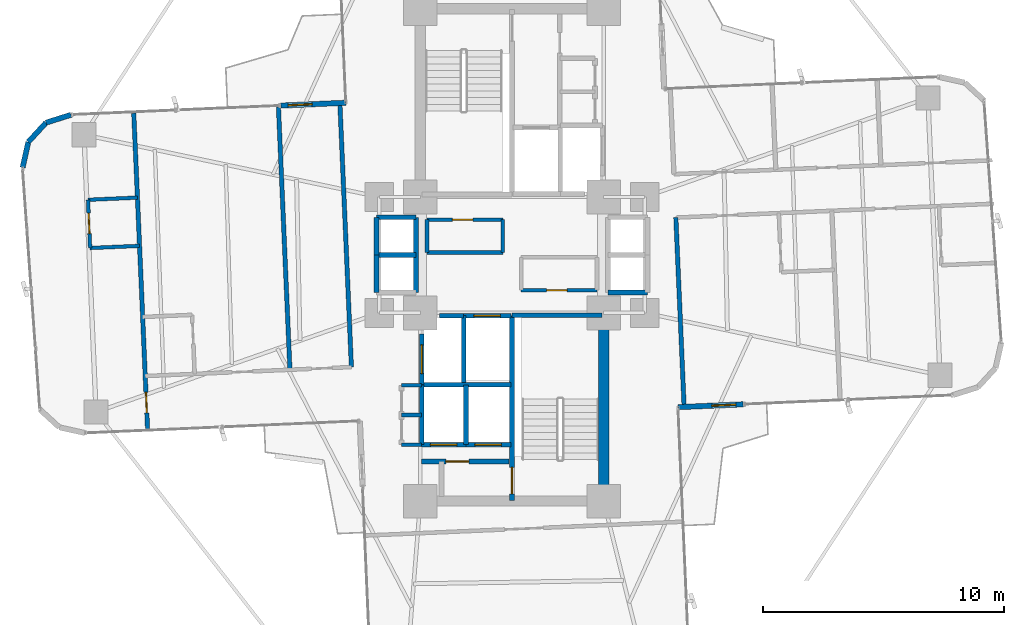
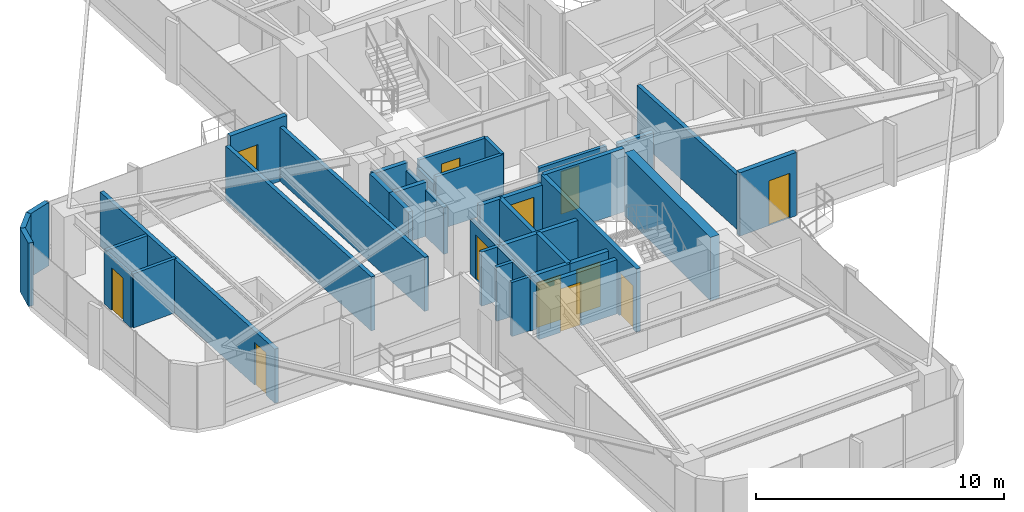
# One storey, part 23 of 26: 39 walls, 12 doors, 12 openings.
"""IFC4 building model written with IfcOpenShell, lengths in metres."""

from ifc_helpers import new_model, si_unit, direction, frame, frame_2d, origin, origin_2d, place, context, subcontext, project, spatial, rectangle, extrude, source, transform, mapped, material, layer, layer_set, type_object, element, fill, save


model = new_model("IFC4")

# Units and contexts
model_context = context("Model", 3, precision=1e-05, world=origin(), true_north=direction((0.0, 1.0)))
body_context = subcontext(model_context, "Body", "Model", "MODEL_VIEW")
ifc_project = project(units=[si_unit("LENGTHUNIT", "METRE"), si_unit("AREAUNIT", "SQUARE_METRE"), si_unit("VOLUMEUNIT", "CUBIC_METRE"), si_unit("PLANEANGLEUNIT", "RADIAN"), si_unit("MASSUNIT", "GRAM", prefix="KILO")], contexts=[model_context])

# Site, building, storey
site_placement = place(None, origin())
site = spatial("IfcSite", under=ifc_project, at=site_placement, CompositionType="ELEMENT")
building_placement = place(site_placement, origin())
building = spatial("IfcBuilding", under=site, at=building_placement, Name="Sahyath Konkavel Grand Hotel", CompositionType="ELEMENT")
storey_placement = place(building_placement, frame((0.0, 0.0, 131.550048828125)))
storey = spatial("IfcBuildingStorey", under=building, at=storey_placement, Name="L36", CompositionType="ELEMENT", Elevation=131.550048828125)

# Wall
ifc_material_1 = material(Name="Concrete C50/60", Category="concrete")
ifc_layer_1 = layer(ifc_material_1, 0.419921875)
ifc_layer_set_1 = layer_set([ifc_layer_1], Name="Concrete C50/60")
wall_type_1 = type_object("IfcWallType", Name="CWALL-420", PredefinedType="SHEAR", material=ifc_layer_set_1)
wall_1_placement = place(storey_placement, frame((3.800048828125, -9.75, 0.0), z_axis=(0.0, 0.0, 1.0), x_axis=(0.0, 1.0, 0.0)))
element("IfcWall", 1, at=wall_1_placement, inside=storey, type_object=wall_type_1, Name="L36 South Core Shear Wall E", PredefinedType="SHEAR", context=body_context, shape_type="SweptSolid", body=[
    extrude(rectangle(XDim=6.89990234375, YDim=0.419921875, at=frame_2d((3.449951171875, 0.0))), origin(), (0.0, 0.0, 1.0), 3.10986328125),
])

# Wall, opening, door
ifc_material_2 = material(Name="Warm Buff Sandstone Insulated Concrete C40/50", Category="masonry")
ifc_layer_2 = layer(ifc_material_2, 0.219970703125)
ifc_layer_set_2 = layer_set([ifc_layer_2], Name="Warm Buff Sandstone Insulated Concrete C40/50")
wall_type_2 = type_object("IfcWallType", Name="WLL-BALC-THRESH", PredefinedType="STANDARD", material=ifc_layer_set_2)
wall_2_placement = place(storey_placement, frame((6.881591796875, -6.305908203125, 0.0), z_axis=(0.0, 0.0, 1.0), x_axis=(0.999045894436, 0.043672655174, 0.0)))
wall_2 = element("IfcWall", 2, at=wall_2_placement, inside=storey, type_object=wall_type_2, Name="L36 Winter-Garden Threshold Wall 0", PredefinedType="STANDARD", context=body_context, shape_type="SweptSolid", body=[
    extrude(rectangle(XDim=2.7001953125, YDim=0.219970703125, at=frame_2d((1.35009765625, 0.0))), origin(), (0.0, 0.0, 1.0), 3.10986328125),
])
opening_1_placement = place(wall_2_placement, frame((1.39990234375, 0.0, 0.0)))
opening_1 = element("IfcOpeningElement", 3, at=opening_1_placement, cuts=wall_2, Name="Opening D-TR1", PredefinedType="OPENING", context=body_context, shape_type="SweptSolid", body=[
    extrude(rectangle(XDim=1.0, YDim=2.199951171875, at=frame_2d((0.5, 1.10009765625))), frame((0.0, 0.1201171875, 0.0), z_axis=(0.0, -1.0, 0.0), x_axis=(1.0, 0.0, 0.0)), (0.0, 0.0, 1.0), 0.239990234375),
])
ifc_material_3 = material(Name="Anodised Bronze Aluminium & Low-E Glazing", Category="aluminium")
door_type_1 = type_object("IfcDoorType", Name="DR-TERRACE-1000", OperationType="NOTDEFINED", PredefinedType="DOOR", material=ifc_material_3)
shared_shape_1 = source(origin(), body_context, "Body", "SweptSolid", [
    extrude(rectangle(XDim=1.0, YDim=0.050048828125, at=origin_2d()), origin(), (0.0, 0.0, 1.0), 2.199951171875),
])
door_1_placement = place(opening_1_placement, frame((0.5, 0.0, 0.0)))
door_1 = element("IfcDoor", 4, at=door_1_placement, inside=storey, type_object=door_type_1, Name="L36 Winter-Garden Terrace Door 0", OperationType="SINGLE_SWING_LEFT", OverallHeight=2.199951171875, OverallWidth=1.0, PredefinedType="DOOR", context=body_context, shape_type="MappedRepresentation", body=[
    mapped(shared_shape_1, transform((0.0, 0.0, 0.0), scale=1.0)),
])
fill(opening_1, door_1)

wall_3_placement = place(storey_placement, frame((-6.881591796875, 6.305908203125, 0.0), z_axis=(0.0, 0.0, 1.0), x_axis=(-0.999045894436, -0.043672655174, 0.0)))
wall_3 = element("IfcWall", 5, at=wall_3_placement, inside=storey, type_object=wall_type_2, Name="L36 Winter-Garden Threshold Wall 16", PredefinedType="STANDARD", context=body_context, shape_type="SweptSolid", body=[
    extrude(rectangle(XDim=2.7001953125, YDim=0.219970703125, at=frame_2d((1.35009765625, 0.0))), origin(), (0.0, 0.0, 1.0), 3.10986328125),
])
opening_2_placement = place(wall_3_placement, frame((1.39990234375, 0.0, 0.0)))
opening_2 = element("IfcOpeningElement", 6, at=opening_2_placement, cuts=wall_3, Name="Opening D-TR1", PredefinedType="OPENING", context=body_context, shape_type="SweptSolid", body=[
    extrude(rectangle(XDim=1.0, YDim=2.199951171875, at=frame_2d((0.5, 1.10009765625))), frame((0.0, 0.1201171875, 0.0), z_axis=(0.0, -1.0, 0.0), x_axis=(1.0, 0.0, 0.0)), (0.0, 0.0, 1.0), 0.239990234375),
])
door_2_placement = place(opening_2_placement, frame((0.5, 0.0, 0.0)))
door_2 = element("IfcDoor", 7, at=door_2_placement, inside=storey, type_object=door_type_1, Name="L36 Winter-Garden Terrace Door 16", OperationType="SINGLE_SWING_LEFT", OverallHeight=2.199951171875, OverallWidth=1.0, PredefinedType="DOOR", context=body_context, shape_type="MappedRepresentation", body=[
    mapped(shared_shape_1, transform((0.0, 0.0, 0.0), scale=1.0)),
])
fill(opening_2, door_2)

# Walls
for number, where, z_axis, x_axis, name in (
    (8, (-18.270751953125, 5.80859375, 0.0), (0.0, 0.0, 1.0), (-0.953721713582, -0.30069069331, 0.0), "L36 Rounded Corner Sandstone Pier 17"),
    (9, (-19.3076171875, 5.481689453125, 0.0), (0.0, 0.0, 1.0), (-0.675551721847, -0.737312600672, 0.0), "L36 Rounded Corner Sandstone Pier 18"),
):
    element("IfcWall", number, at=place(storey_placement, frame(where, z_axis=z_axis, x_axis=x_axis)), inside=storey, type_object=wall_type_2, Name=name, PredefinedType="STANDARD", context=body_context, shape_type="SweptSolid", body=[
        extrude(rectangle(XDim=1.087158203125, YDim=0.219970703125, at=frame_2d((0.54345703125, 0.0))), origin(), (0.0, 0.0, 1.0), 3.10986328125),
    ])
wall_4_placement = place(storey_placement, frame((-20.0419921875, 4.68017578125, 0.0), z_axis=(0.0, 0.0, 1.0), x_axis=(-0.216288323511, -0.976329535102, 0.0)))
element("IfcWall", 10, at=wall_4_placement, inside=storey, type_object=wall_type_2, Name="L36 Rounded Corner Sandstone Pier 19", PredefinedType="STANDARD", context=body_context, shape_type="SweptSolid", body=[
    extrude(rectangle(XDim=1.0869140625, YDim=0.219970703125, at=frame_2d((0.54345703125, 0.0))), origin(), (0.0, 0.0, 1.0), 3.10986328125),
])

# Wall, opening, door
ifc_material_4 = material(Name="Concrete C40/50", Category="concrete")
ifc_layer_3 = layer(ifc_material_4, 0.199951171875)
ifc_layer_set_3 = layer_set([ifc_layer_3], Name="Concrete C40/50")
wall_type_3 = type_object("IfcWallType", Name="WLL-CORE-200", PredefinedType="SOLIDWALL", material=ifc_layer_set_3)
wall_5_placement = place(storey_placement, frame((0.0, -10.179931640625, 0.0), z_axis=(0.0, 0.0, 1.0), x_axis=(0.0, 1.0, 0.0)))
wall_5 = element("IfcWall", 11, at=wall_5_placement, inside=storey, type_object=wall_type_3, Name="L36 Stair ST-2 Shaft Wall W", PredefinedType="SOLIDWALL", context=body_context, shape_type="SweptSolid", body=[
    extrude(rectangle(XDim=7.679931640625, YDim=0.199951171875, at=frame_2d((3.83984375, 0.0))), origin(), (0.0, 0.0, 1.0), 3.10986328125),
])
opening_3_placement = place(wall_5_placement, frame((0.280029296875, 0.0, 0.0)))
opening_3 = element("IfcOpeningElement", 12, at=opening_3_placement, cuts=wall_5, Name="Opening D-F12B", PredefinedType="OPENING", context=body_context, shape_type="SweptSolid", body=[
    extrude(rectangle(XDim=1.10009765625, YDim=2.14990234375, at=frame_2d((0.550048828125, 1.074951171875))), frame((0.0, 0.10986328125, 0.0), z_axis=(0.0, -1.0, 0.0), x_axis=(1.0, 0.0, 0.0)), (0.0, 0.0, 1.0), 0.219970703125),
])
ifc_material_5 = material(Name="Steel E350 Smokeproof Fire Door", Category="steel")
door_type_2 = type_object("IfcDoorType", Name="DR-FD120-1100", OperationType="NOTDEFINED", PredefinedType="DOOR", material=ifc_material_5)
shared_shape_2 = source(origin(), body_context, "Body", "SweptSolid", [
    extrude(rectangle(XDim=1.10009765625, YDim=0.050048828125, at=origin_2d()), origin(), (0.0, 0.0, 1.0), 2.14990234375),
])
door_3_placement = place(opening_3_placement, frame((0.550048828125, 0.0, 0.0)))
door_3 = element("IfcDoor", 13, at=door_3_placement, inside=storey, type_object=door_type_2, Name="L36 Stair ST-2 Fire Door", OperationType="SINGLE_SWING_LEFT", OverallHeight=2.14990234375, OverallWidth=1.10009765625, PredefinedType="DOOR", context=body_context, shape_type="MappedRepresentation", body=[
    mapped(shared_shape_2, transform((0.0, 0.0, 0.0), scale=1.0)),
])
fill(opening_3, door_3)

# Walls
wall_6_placement = place(storey_placement, frame((0.0, -2.5, 0.0), z_axis=(0.0, 0.0, 1.0), x_axis=(1.0, 0.0, 0.0)))
element("IfcWall", 14, at=wall_6_placement, inside=storey, type_object=wall_type_3, Name="L36 Stair ST-2 Shaft Wall N", PredefinedType="SOLIDWALL", context=body_context, shape_type="SweptSolid", body=[
    extrude(rectangle(XDim=3.719970703125, YDim=0.199951171875, at=frame_2d((1.85986328125, 0.0))), origin(), (0.0, 0.0, 1.0), 3.10986328125),
])
wall_7_placement = place(storey_placement, frame((-2.0, -5.280029296875, 0.0), z_axis=(0.0, 0.0, 1.0), x_axis=(0.0, 1.0, 0.0)))
element("IfcWall", 15, at=wall_7_placement, inside=storey, type_object=wall_type_3, Name="L36 Partition SH-FFL2-W", PredefinedType="SOLIDWALL", context=body_context, shape_type="SweptSolid", body=[
    extrude(rectangle(XDim=2.780029296875, YDim=0.199951171875, at=frame_2d((1.39013671875, 0.0))), origin(), (0.0, 0.0, 1.0), 2.659912109375),
])

# Wall, opening, door
wall_8_placement = place(storey_placement, frame((-2.0, -2.52001953125, 0.0), z_axis=(0.0, 0.0, 1.0), x_axis=(1.0, 0.0, 0.0)))
wall_8 = element("IfcWall", 16, at=wall_8_placement, inside=storey, type_object=wall_type_3, Name="L36 Partition SH-FFL2-N", PredefinedType="SOLIDWALL", context=body_context, shape_type="SweptSolid", body=[
    extrude(rectangle(XDim=1.949951171875, YDim=0.199951171875, at=frame_2d((0.97509765625, 0.0))), origin(), (0.0, 0.0, 1.0), 2.659912109375),
])
opening_4_placement = place(wall_8_placement, frame((0.419921875, 0.0, 0.0)))
opening_4 = element("IfcOpeningElement", 17, at=opening_4_placement, cuts=wall_8, Name="Opening LD-11", PredefinedType="OPENING", context=body_context, shape_type="SweptSolid", body=[
    extrude(rectangle(XDim=1.10009765625, YDim=2.199951171875, at=frame_2d((0.550048828125, 1.10009765625))), frame((0.0, 0.10986328125, 0.0), z_axis=(0.0, -1.0, 0.0), x_axis=(1.0, 0.0, 0.0)), (0.0, 0.0, 1.0), 0.219970703125),
])
ifc_material_6 = material(Name="Bronze Lift Landing Door 1100")
door_type_3 = type_object("IfcDoorType", Name="DR-LIFT-1100", OperationType="DOUBLE_DOOR_SLIDING", PredefinedType="DOOR", material=ifc_material_6)
shared_shape_3 = source(origin(), body_context, "Body", "SweptSolid", [
    extrude(rectangle(XDim=1.10009765625, YDim=0.050048828125, at=origin_2d()), origin(), (0.0, 0.0, 1.0), 2.199951171875),
])
door_4_placement = place(opening_4_placement, frame((0.550048828125, 0.0, 0.0)))
door_4 = element("IfcDoor", 18, at=door_4_placement, inside=storey, type_object=door_type_3, Name="L36 Lift FFL-2 Landing Door", OperationType="DOUBLE_DOOR_SLIDING", OverallHeight=2.199951171875, OverallWidth=1.10009765625, PredefinedType="DOOR", context=body_context, shape_type="MappedRepresentation", body=[
    mapped(shared_shape_3, transform((0.0, 0.0, 0.0), scale=1.0)),
])
fill(opening_4, door_4)

# Wall
wall_9_placement = place(storey_placement, frame((-3.0, -2.52001953125, 0.0), z_axis=(0.0, 0.0, 1.0), x_axis=(1.0, 0.0, 0.0)))
element("IfcWall", 19, at=wall_9_placement, inside=storey, type_object=wall_type_3, Name="L36 Partition SH-SVL2-N", PredefinedType="SOLIDWALL", context=body_context, shape_type="SweptSolid", body=[
    extrude(rectangle(XDim=1.0, YDim=0.199951171875, at=frame_2d((0.5, 0.0))), origin(), (0.0, 0.0, 1.0), 2.659912109375),
])

# Wall, opening, door
wall_10_placement = place(storey_placement, frame((-3.739990234375, -5.360107421875, 0.0), z_axis=(0.0, 0.0, 1.0), x_axis=(0.0, 1.0, 0.0)))
wall_10 = element("IfcWall", 20, at=wall_10_placement, inside=storey, type_object=wall_type_3, Name="L36 Partition SH-SVL2-W", PredefinedType="SOLIDWALL", context=body_context, shape_type="SweptSolid", body=[
    extrude(rectangle(XDim=2.080078125, YDim=0.199951171875, at=frame_2d((1.0400390625, 0.0))), origin(), (0.0, 0.0, 1.0), 2.659912109375),
])
opening_5_placement = place(wall_10_placement, frame((0.43994140625, 0.0, 0.0)))
opening_5 = element("IfcOpeningElement", 21, at=opening_5_placement, cuts=wall_10, Name="Opening LD-12", PredefinedType="OPENING", context=body_context, shape_type="SweptSolid", body=[
    extrude(rectangle(XDim=1.199951171875, YDim=2.199951171875, at=frame_2d((0.60009765625, 1.10009765625))), frame((0.0, 0.10986328125, 0.0), z_axis=(0.0, -1.0, 0.0), x_axis=(1.0, 0.0, 0.0)), (0.0, 0.0, 1.0), 0.219970703125),
])
ifc_material_7 = material(Name="Stainless Steel Lift Landing Door 1200", Category="steel")
door_type_4 = type_object("IfcDoorType", Name="DR-LIFT-1200", OperationType="DOUBLE_DOOR_SLIDING", PredefinedType="DOOR", material=ifc_material_7)
shared_shape_4 = source(origin(), body_context, "Body", "SweptSolid", [
    extrude(rectangle(XDim=1.199951171875, YDim=0.050048828125, at=origin_2d()), origin(), (0.0, 0.0, 1.0), 2.199951171875),
])
door_5_placement = place(opening_5_placement, frame((0.60009765625, 0.0, 0.0)))
door_5 = element("IfcDoor", 22, at=door_5_placement, inside=storey, type_object=door_type_4, Name="L36 Service Lift SVL-2 Landing Door", OperationType="DOUBLE_DOOR_SLIDING", OverallHeight=2.199951171875, OverallWidth=1.199951171875, PredefinedType="DOOR", context=body_context, shape_type="MappedRepresentation", body=[
    mapped(shared_shape_4, transform((0.0, 0.0, 0.0), scale=1.0)),
])
fill(opening_5, door_5)

# Wall
wall_11_placement = place(storey_placement, frame((-3.739990234375, -7.860107421875, 0.0), z_axis=(0.0, 0.0, 1.0), x_axis=(0.0, 1.0, 0.0)))
element("IfcWall", 23, at=wall_11_placement, inside=storey, type_object=wall_type_3, Name="L36 Partition SH-PL3-W", PredefinedType="SOLIDWALL", context=body_context, shape_type="SweptSolid", body=[
    extrude(rectangle(XDim=2.480224609375, YDim=0.199951171875, at=frame_2d((1.240234375, 0.0))), origin(), (0.0, 0.0, 1.0), 2.659912109375),
])

# Wall, opening, door
wall_12_placement = place(storey_placement, frame((-3.739990234375, -7.860107421875, 0.0), z_axis=(0.0, 0.0, 1.0), x_axis=(1.0, 0.0, 0.0)))
wall_12 = element("IfcWall", 24, at=wall_12_placement, inside=storey, type_object=wall_type_3, Name="L36 Partition SH-PL3-S", PredefinedType="SOLIDWALL", context=body_context, shape_type="SweptSolid", body=[
    extrude(rectangle(XDim=1.840087890625, YDim=0.199951171875, at=frame_2d((0.919921875, 0.0))), origin(), (0.0, 0.0, 1.0), 2.659912109375),
])
opening_6_placement = place(wall_12_placement, frame((0.360107421875, 0.0, 0.0)))
opening_6 = element("IfcOpeningElement", 25, at=opening_6_placement, cuts=wall_12, Name="Opening LD-11", PredefinedType="OPENING", context=body_context, shape_type="SweptSolid", body=[
    extrude(rectangle(XDim=1.10009765625, YDim=2.199951171875, at=frame_2d((0.550048828125, 1.10009765625))), frame((0.0, 0.10986328125, 0.0), z_axis=(0.0, -1.0, 0.0), x_axis=(1.0, 0.0, 0.0)), (0.0, 0.0, 1.0), 0.219970703125),
])
door_6_placement = place(opening_6_placement, frame((0.550048828125, 0.0, 0.0)))
door_6 = element("IfcDoor", 26, at=door_6_placement, inside=storey, type_object=door_type_3, Name="L36 Passenger Lift PL-3 Landing Door", OperationType="DOUBLE_DOOR_SLIDING", OverallHeight=2.199951171875, OverallWidth=1.10009765625, PredefinedType="DOOR", context=body_context, shape_type="MappedRepresentation", body=[
    mapped(shared_shape_3, transform((0.0, 0.0, 0.0), scale=1.0)),
])
fill(opening_6, door_6)

# Walls
wall_13_placement = place(storey_placement, frame((-3.739990234375, -5.3798828125, 0.0), z_axis=(0.0, 0.0, 1.0), x_axis=(1.0, 0.0, 0.0)))
element("IfcWall", 27, at=wall_13_placement, inside=storey, type_object=wall_type_3, Name="L36 Partition SH-PL34-N", PredefinedType="SOLIDWALL", context=body_context, shape_type="SweptSolid", body=[
    extrude(rectangle(XDim=3.68994140625, YDim=0.199951171875, at=frame_2d((1.844970703125, 0.0))), origin(), (0.0, 0.0, 1.0), 2.659912109375),
])
wall_14_placement = place(storey_placement, frame((-1.89990234375, -7.860107421875, 0.0), z_axis=(0.0, 0.0, 1.0), x_axis=(0.0, 1.0, 0.0)))
element("IfcWall", 28, at=wall_14_placement, inside=storey, type_object=wall_type_3, Name="L36 Partition SH-PL34-M", PredefinedType="SOLIDWALL", context=body_context, shape_type="SweptSolid", body=[
    extrude(rectangle(XDim=2.480224609375, YDim=0.199951171875, at=frame_2d((1.240234375, 0.0))), origin(), (0.0, 0.0, 1.0), 2.659912109375),
])

# Wall, opening, door
wall_15_placement = place(storey_placement, frame((-1.89990234375, -7.860107421875, 0.0), z_axis=(0.0, 0.0, 1.0), x_axis=(1.0, 0.0, 0.0)))
wall_15 = element("IfcWall", 29, at=wall_15_placement, inside=storey, type_object=wall_type_3, Name="L36 Partition SH-PL4-S", PredefinedType="SOLIDWALL", context=body_context, shape_type="SweptSolid", body=[
    extrude(rectangle(XDim=1.849853515625, YDim=0.199951171875, at=frame_2d((0.9248046875, 0.0))), origin(), (0.0, 0.0, 1.0), 2.659912109375),
])
opening_7_placement = place(wall_15_placement, frame((0.360107421875, 0.0, 0.0)))
opening_7 = element("IfcOpeningElement", 30, at=opening_7_placement, cuts=wall_15, Name="Opening LD-11", PredefinedType="OPENING", context=body_context, shape_type="SweptSolid", body=[
    extrude(rectangle(XDim=1.10009765625, YDim=2.199951171875, at=frame_2d((0.550048828125, 1.10009765625))), frame((0.0, 0.10986328125, 0.0), z_axis=(0.0, -1.0, 0.0), x_axis=(1.0, 0.0, 0.0)), (0.0, 0.0, 1.0), 0.219970703125),
])
door_7_placement = place(opening_7_placement, frame((0.550048828125, 0.0, 0.0)))
door_7 = element("IfcDoor", 31, at=door_7_placement, inside=storey, type_object=door_type_3, Name="L36 Passenger Lift PL-4 Landing Door", OperationType="DOUBLE_DOOR_SLIDING", OverallHeight=2.199951171875, OverallWidth=1.10009765625, PredefinedType="DOOR", context=body_context, shape_type="MappedRepresentation", body=[
    mapped(shared_shape_3, transform((0.0, 0.0, 0.0), scale=1.0)),
])
fill(opening_7, door_7)

# Walls
wall_16_placement = place(storey_placement, frame((3.97998046875, -1.56005859375, 0.0), z_axis=(0.0, 0.0, 1.0), x_axis=(1.0, 0.0, 0.0)))
element("IfcWall", 32, at=wall_16_placement, inside=storey, type_object=wall_type_3, Name="L36 Partition SH-PL56-S", PredefinedType="SOLIDWALL", context=body_context, shape_type="SweptSolid", body=[
    extrude(rectangle(XDim=1.64013671875, YDim=0.199951171875, at=frame_2d((0.820068359375, 0.0))), origin(), (0.0, 0.0, 1.0), 2.659912109375),
])
wall_17_placement = place(storey_placement, frame((-3.97998046875, -1.56005859375, 0.0), z_axis=(0.0, 0.0, 1.0), x_axis=(0.0, 1.0, 0.0)))
element("IfcWall", 33, at=wall_17_placement, inside=storey, type_object=wall_type_3, Name="L36 Partition SH-SL12-E", PredefinedType="SOLIDWALL", context=body_context, shape_type="SweptSolid", body=[
    extrude(rectangle(XDim=3.1201171875, YDim=0.199951171875, at=frame_2d((1.56005859375, 0.0))), origin(), (0.0, 0.0, 1.0), 2.280029296875),
])
for number, where, z_axis, x_axis, name in (
    (34, (-5.6201171875, 1.56005859375, 0.0), (0.0, 0.0, 1.0), (1.0, 0.0, 0.0), "L36 Partition SH-SL12-N"),
    (35, (-5.6201171875, 0.0, 0.0), (0.0, 0.0, 1.0), (1.0, 0.0, 0.0), "L36 Partition SH-SL12-M"),
):
    element("IfcWall", number, at=place(storey_placement, frame(where, z_axis=z_axis, x_axis=x_axis)), inside=storey, type_object=wall_type_3, Name=name, PredefinedType="SOLIDWALL", context=body_context, shape_type="SweptSolid", body=[
        extrude(rectangle(XDim=1.64013671875, YDim=0.199951171875, at=frame_2d((0.820068359375, 0.0))), origin(), (0.0, 0.0, 1.0), 2.659912109375),
    ])
for number, where, z_axis, x_axis, name in (
    (36, (-5.6201171875, 0.0, 0.0), (0.0, 0.0, 1.0), (0.0, 1.0, 0.0), "L36 Partition SH-SL1-W"),
    (37, (-5.6201171875, -1.56005859375, 0.0), (0.0, 0.0, 1.0), (0.0, 1.0, 0.0), "L36 Partition SH-SL2-W"),
):
    element("IfcWall", number, at=place(storey_placement, frame(where, z_axis=z_axis, x_axis=x_axis)), inside=storey, type_object=wall_type_3, Name=name, PredefinedType="SOLIDWALL", context=body_context, shape_type="SweptSolid", body=[
        extrude(rectangle(XDim=1.56005859375, YDim=0.199951171875, at=frame_2d((0.780029296875, 0.0))), origin(), (0.0, 0.0, 1.0), 2.659912109375),
    ])

# Wall, opening, door
wall_18_placement = place(storey_placement, frame((-3.739990234375, -8.56005859375, 0.0), z_axis=(0.0, 0.0, 1.0), x_axis=(1.0, 0.0, 0.0)))
wall_18 = element("IfcWall", 38, at=wall_18_placement, inside=storey, type_object=wall_type_3, Name="L36 South FF Lobby Separation Wall", PredefinedType="SOLIDWALL", context=body_context, shape_type="SweptSolid", body=[
    extrude(rectangle(XDim=3.619873046875, YDim=0.199951171875, at=frame_2d((1.81005859375, 0.0))), origin(), (0.0, 0.0, 1.0), 2.659912109375),
])
opening_8_placement = place(wall_18_placement, frame((1.0, 0.0, 0.0)))
opening_8 = element("IfcOpeningElement", 39, at=opening_8_placement, cuts=wall_18, Name="Opening D-F12C", PredefinedType="OPENING", context=body_context, shape_type="SweptSolid", body=[
    extrude(rectangle(XDim=0.949951171875, YDim=2.14990234375, at=frame_2d((0.47509765625, 1.074951171875))), frame((0.0, 0.10986328125, 0.0), z_axis=(0.0, -1.0, 0.0), x_axis=(1.0, 0.0, 0.0)), (0.0, 0.0, 1.0), 0.219970703125),
])
ifc_material_8 = material(Name="Steel E350 Plant Fire Door", Category="steel")
door_type_5 = type_object("IfcDoorType", Name="DR-FD120-950", OperationType="NOTDEFINED", PredefinedType="DOOR", material=ifc_material_8)
shared_shape_5 = source(origin(), body_context, "Body", "SweptSolid", [
    extrude(rectangle(XDim=0.949951171875, YDim=0.050048828125, at=origin_2d()), origin(), (0.0, 0.0, 1.0), 2.14990234375),
])
door_8_placement = place(opening_8_placement, frame((0.47509765625, 0.0, 0.0)))
door_8 = element("IfcDoor", 40, at=door_8_placement, inside=storey, type_object=door_type_5, Name="L36 South Firefighting Lobby Door", OperationType="SINGLE_SWING_RIGHT", OverallHeight=2.14990234375, OverallWidth=0.949951171875, PredefinedType="DOOR", context=body_context, shape_type="MappedRepresentation", body=[
    mapped(shared_shape_5, transform((0.0, 0.0, 0.0), scale=1.0)),
])
fill(opening_8, door_8)

# Walls
ifc_material_9 = material(Name="Twin-Stud Acoustic Gypsum Plasterboard Partition")
ifc_layer_4 = layer(ifc_material_9, 0.179931640625)
ifc_layer_set_4 = layer_set([ifc_layer_4], Name="Twin-Stud Acoustic Gypsum Plasterboard Partition")
wall_type_4 = type_object("IfcWallType", Name="WLL-DEMISE-180", PredefinedType="PARTITIONING", material=ifc_layer_set_4)
wall_19_placement = place(storey_placement, frame((7.129150390625, -6.2451171875, 0.0), z_axis=(0.0, 0.0, 1.0), x_axis=(-0.043600217373, 0.999049058378, 0.0)))
element("IfcWall", 41, at=wall_19_placement, inside=storey, type_object=wall_type_4, Name="L36 Partition E-INR", PredefinedType="PARTITIONING", context=body_context, shape_type="SweptSolid", body=[
    extrude(rectangle(XDim=7.800048828125, YDim=0.179931640625, at=frame_2d((3.89990234375, 0.0))), origin(), (0.0, 0.0, 1.0), 2.659912109375),
])
wall_20_placement = place(storey_placement, frame((-7.129150390625, 6.2451171875, 0.0), z_axis=(0.0, 0.0, 1.0), x_axis=(0.043608291235, -0.999048705988, 0.0)))
element("IfcWall", 42, at=wall_20_placement, inside=storey, type_object=wall_type_4, Name="L36 Partition W-G5I", PredefinedType="PARTITIONING", context=body_context, shape_type="SweptSolid", body=[
    extrude(rectangle(XDim=10.900146484375, YDim=0.179931640625, at=frame_2d((5.4501953125, 0.0))), origin(), (0.0, 0.0, 1.0), 2.659912109375),
])
wall_21_placement = place(storey_placement, frame((-9.201416015625, -4.755859375, 0.0), z_axis=(0.0, 0.0, 1.0), x_axis=(-0.043609267053, 0.999048663393, 0.0)))
element("IfcWall", 43, at=wall_21_placement, inside=storey, type_object=wall_type_4, Name="L36 Partition W-WHK-DEM", PredefinedType="PARTITIONING", context=body_context, shape_type="SweptSolid", body=[
    extrude(rectangle(XDim=10.89990234375, YDim=0.179931640625, at=frame_2d((5.449951171875, 0.0))), origin(), (0.0, 0.0, 1.0), 2.659912109375),
])

# Wall, opening, door
wall_22_placement = place(storey_placement, frame((-15.6708984375, 5.8720703125, 0.0), z_axis=(0.0, 0.0, 1.0), x_axis=(0.043609488494, -0.999048653727, 0.0)))
wall_22 = element("IfcWall", 44, at=wall_22_placement, inside=storey, type_object=wall_type_4, Name="L36 Partition W-WTIP-END", PredefinedType="PARTITIONING", context=body_context, shape_type="SweptSolid", body=[
    extrude(rectangle(XDim=13.10009765625, YDim=0.179931640625, at=frame_2d((6.550048828125, 0.0))), origin(), (0.0, 0.0, 1.0), 2.659912109375),
])
opening_9_placement = place(wall_22_placement, frame((11.574951171875, 0.0, 0.0)))
opening_9 = element("IfcOpeningElement", 45, at=opening_9_placement, cuts=wall_22, Name="Opening D-F06D", PredefinedType="OPENING", context=body_context, shape_type="SweptSolid", body=[
    extrude(rectangle(XDim=0.85009765625, YDim=2.10009765625, at=frame_2d((0.425048828125, 1.050048828125))), frame((0.0, 0.10009765625, 0.0), z_axis=(0.0, -1.0, 0.0), x_axis=(1.0, 0.0, 0.0)), (0.0, 0.0, 1.0), 0.199951171875),
])
ifc_material_10 = material(Name="Fire-Rated Shaft Access Door")
door_type_6 = type_object("IfcDoorType", Name="DR-FD60-850", OperationType="NOTDEFINED", PredefinedType="DOOR", material=ifc_material_10)
shared_shape_6 = source(origin(), body_context, "Body", "SweptSolid", [
    extrude(rectangle(XDim=0.85009765625, YDim=0.050048828125, at=origin_2d()), origin(), (0.0, 0.0, 1.0), 2.10009765625),
])
door_9_placement = place(opening_9_placement, frame((0.425048828125, 0.0, 0.0)))
door_9 = element("IfcDoor", 46, at=door_9_placement, inside=storey, type_object=door_type_6, Name="L36 Door W-WTIP-ED", OperationType="SINGLE_SWING_LEFT", OverallHeight=2.10009765625, OverallWidth=0.85009765625, PredefinedType="DOOR", context=body_context, shape_type="MappedRepresentation", body=[
    mapped(shared_shape_6, transform((0.0, 0.0, 0.0), scale=1.0)),
])
fill(opening_9, door_9)

# Walls
ifc_material_11 = material(Name="Fire-Rated Gypsum Plasterboard Partition")
ifc_layer_5 = layer(ifc_material_11, 0.14990234375)
ifc_layer_set_5 = layer_set([ifc_layer_5], Name="Fire-Rated Gypsum Plasterboard Partition")
wall_type_5 = type_object("IfcWallType", Name="WLL-PART-150", PredefinedType="PARTITIONING", material=ifc_layer_set_5)
for number, where, z_axis, x_axis, name in (
    (47, (-4.580078125, -5.39990234375, 0.0), (0.0, 0.0, 1.0), (1.0, 0.0, 0.0), "L36 Partition SC-FLK-N"),
    (48, (-4.580078125, -7.860107421875, 0.0), (0.0, 0.0, 1.0), (1.0, 0.0, 0.0), "L36 Partition SC-FLK-S"),
    (49, (-4.580078125, -6.6298828125, 0.0), (0.0, 0.0, 1.0), (1.0, 0.0, 0.0), "L36 Partition SC-FLK-M"),
):
    element("IfcWall", number, at=place(storey_placement, frame(where, z_axis=z_axis, x_axis=x_axis)), inside=storey, type_object=wall_type_5, Name=name, PredefinedType="PARTITIONING", context=body_context, shape_type="SweptSolid", body=[
        extrude(rectangle(XDim=0.840087890625, YDim=0.14990234375, at=frame_2d((0.419921875, 0.0))), origin(), (0.0, 0.0, 1.0), 2.659912109375),
    ])
wall_23_placement = place(storey_placement, frame((-3.52001953125, 0.10009765625, 0.0), z_axis=(0.0, 0.0, 1.0), x_axis=(1.0, 0.0, 0.0)))
element("IfcWall", 50, at=wall_23_placement, inside=storey, type_object=wall_type_5, Name="L36 Partition CC-3NWS", PredefinedType="PARTITIONING", context=body_context, shape_type="SweptSolid", body=[
    extrude(rectangle(XDim=3.14013671875, YDim=0.14990234375, at=frame_2d((1.570068359375, 0.0))), origin(), (0.0, 0.0, 1.0), 2.659912109375),
])

# Wall, opening, door
wall_24_placement = place(storey_placement, frame((-3.52001953125, 1.4599609375, 0.0), z_axis=(0.0, 0.0, 1.0), x_axis=(1.0, 0.0, 0.0)))
wall_24 = element("IfcWall", 51, at=wall_24_placement, inside=storey, type_object=wall_type_5, Name="L36 Partition CC-3NWN", PredefinedType="PARTITIONING", context=body_context, shape_type="SweptSolid", body=[
    extrude(rectangle(XDim=3.14013671875, YDim=0.14990234375, at=frame_2d((1.570068359375, 0.0))), origin(), (0.0, 0.0, 1.0), 2.659912109375),
])
opening_10_placement = place(wall_24_placement, frame((1.050048828125, 0.0, 0.0)))
opening_10 = element("IfcOpeningElement", 52, at=opening_10_placement, cuts=wall_24, Name="Opening D-F06D", PredefinedType="OPENING", context=body_context, shape_type="SweptSolid", body=[
    extrude(rectangle(XDim=0.85009765625, YDim=2.10009765625, at=frame_2d((0.425048828125, 1.050048828125))), frame((0.0, 0.0849609375, 0.0), z_axis=(0.0, -1.0, 0.0), x_axis=(1.0, 0.0, 0.0)), (0.0, 0.0, 1.0), 0.169921875),
])
door_10_placement = place(opening_10_placement, frame((0.425048828125, 0.0, 0.0)))
door_10 = element("IfcDoor", 53, at=door_10_placement, inside=storey, type_object=door_type_6, Name="L36 Door CC-D3NW", OperationType="SINGLE_SWING_LEFT", OverallHeight=2.10009765625, OverallWidth=0.85009765625, PredefinedType="DOOR", context=body_context, shape_type="MappedRepresentation", body=[
    mapped(shared_shape_6, transform((0.0, 0.0, 0.0), scale=1.0)),
])
fill(opening_10, door_10)

# Walls
wall_25_placement = place(storey_placement, frame((-3.52001953125, 0.10009765625, 0.0), z_axis=(0.0, 0.0, 1.0), x_axis=(0.0, 1.0, 0.0)))
element("IfcWall", 54, at=wall_25_placement, inside=storey, type_object=wall_type_5, Name="L36 Partition CC-3NWW", PredefinedType="PARTITIONING", context=body_context, shape_type="SweptSolid", body=[
    extrude(rectangle(XDim=1.35986328125, YDim=0.14990234375, at=frame_2d((0.679931640625, 0.0))), origin(), (0.0, 0.0, 1.0), 2.280029296875),
])
wall_26_placement = place(storey_placement, frame((-0.3798828125, 0.10009765625, 0.0), z_axis=(0.0, 0.0, 1.0), x_axis=(0.0, 1.0, 0.0)))
element("IfcWall", 55, at=wall_26_placement, inside=storey, type_object=wall_type_5, Name="L36 Partition CC-3NWE", PredefinedType="PARTITIONING", context=body_context, shape_type="SweptSolid", body=[
    extrude(rectangle(XDim=1.35986328125, YDim=0.14990234375, at=frame_2d((0.679931640625, 0.0))), origin(), (0.0, 0.0, 1.0), 2.659912109375),
])

# Wall, opening, door
wall_27_placement = place(storey_placement, frame((0.3798828125, -1.4599609375, 0.0), z_axis=(0.0, 0.0, 1.0), x_axis=(1.0, 0.0, 0.0)))
wall_27 = element("IfcWall", 56, at=wall_27_placement, inside=storey, type_object=wall_type_5, Name="L36 Partition CC-3SES", PredefinedType="PARTITIONING", context=body_context, shape_type="SweptSolid", body=[
    extrude(rectangle(XDim=3.14013671875, YDim=0.14990234375, at=frame_2d((1.570068359375, 0.0))), origin(), (0.0, 0.0, 1.0), 2.659912109375),
])
opening_11_placement = place(wall_27_placement, frame((1.050048828125, 0.0, 0.0)))
opening_11 = element("IfcOpeningElement", 57, at=opening_11_placement, cuts=wall_27, Name="Opening D-F06D", PredefinedType="OPENING", context=body_context, shape_type="SweptSolid", body=[
    extrude(rectangle(XDim=0.85009765625, YDim=2.10009765625, at=frame_2d((0.425048828125, 1.050048828125))), frame((0.0, 0.0849609375, 0.0), z_axis=(0.0, -1.0, 0.0), x_axis=(1.0, 0.0, 0.0)), (0.0, 0.0, 1.0), 0.169921875),
])
door_11_placement = place(opening_11_placement, frame((0.425048828125, 0.0, 0.0)))
door_11 = element("IfcDoor", 58, at=door_11_placement, inside=storey, type_object=door_type_6, Name="L36 Door CC-D3SE", OperationType="SINGLE_SWING_RIGHT", OverallHeight=2.10009765625, OverallWidth=0.85009765625, PredefinedType="DOOR", context=body_context, shape_type="MappedRepresentation", body=[
    mapped(shared_shape_6, transform((0.0, 0.0, 0.0), scale=1.0)),
])
fill(opening_11, door_11)

# Walls
wall_28_placement = place(storey_placement, frame((-15.43115234375, 0.377197265625, 0.0), z_axis=(0.0, 0.0, 1.0), x_axis=(-0.999049630844, -0.043587097972, 0.0)))
element("IfcWall", 59, at=wall_28_placement, inside=storey, type_object=wall_type_5, Name="L36 Partition W-WTIP-BN", PredefinedType="PARTITIONING", context=body_context, shape_type="SweptSolid", body=[
    extrude(rectangle(XDim=2.050048828125, YDim=0.14990234375, at=frame_2d((1.02490234375, 0.0))), origin(), (0.0, 0.0, 1.0), 2.659912109375),
])
wall_29_placement = place(storey_placement, frame((-15.518310546875, 2.37548828125, 0.0), z_axis=(0.0, 0.0, 1.0), x_axis=(-0.999044437927, -0.043705961225, 0.0)))
element("IfcWall", 60, at=wall_29_placement, inside=storey, type_object=wall_type_5, Name="L36 Partition W-WTIP-BS", PredefinedType="PARTITIONING", context=body_context, shape_type="SweptSolid", body=[
    extrude(rectangle(XDim=2.050048828125, YDim=0.14990234375, at=frame_2d((1.02490234375, 0.0))), origin(), (0.0, 0.0, 1.0), 2.6298828125),
])

# Wall, opening, door
wall_30_placement = place(storey_placement, frame((-17.56640625, 2.285888671875, 0.0), z_axis=(0.0, 0.0, 1.0), x_axis=(0.043580257179, -0.999049929275, 0.0)))
wall_30 = element("IfcWall", 61, at=wall_30_placement, inside=storey, type_object=wall_type_5, Name="L36 Partition W-WTIP-BE", PredefinedType="PARTITIONING", context=body_context, shape_type="SweptSolid", body=[
    extrude(rectangle(XDim=2.0, YDim=0.14990234375, at=frame_2d((1.0, 0.0))), origin(), (0.0, 0.0, 1.0), 2.579833984375),
])
opening_12_placement = place(wall_30_placement, frame((0.550048828125, 0.0, 0.0)))
opening_12 = element("IfcOpeningElement", 62, at=opening_12_placement, cuts=wall_30, Name="Opening D-BT85", PredefinedType="OPENING", context=body_context, shape_type="SweptSolid", body=[
    extrude(rectangle(XDim=0.85009765625, YDim=2.10009765625, at=frame_2d((0.425048828125, 1.050048828125))), frame((0.0, 0.0849609375, 0.0), z_axis=(0.0, -1.0, 0.0), x_axis=(1.0, 0.0, 0.0)), (0.0, 0.0, 1.0), 0.169921875),
])
ifc_material_12 = material(Name="Moisture-Resistant Teak Bathroom Door")
door_type_7 = type_object("IfcDoorType", Name="DR-BATH-850", OperationType="NOTDEFINED", PredefinedType="DOOR", material=ifc_material_12)
door_12_placement = place(opening_12_placement, frame((0.425048828125, 0.0, 0.0)))
door_12 = element("IfcDoor", 63, at=door_12_placement, inside=storey, type_object=door_type_7, Name="L36 Door W-WTIP-BD", OperationType="SINGLE_SWING_RIGHT", OverallHeight=2.10009765625, OverallWidth=0.85009765625, PredefinedType="DOOR", context=body_context, shape_type="MappedRepresentation", body=[
    mapped(shared_shape_6, transform((0.0, 0.0, 0.0), scale=1.0)),
])
fill(opening_12, door_12)

save(model, "model.ifc")
